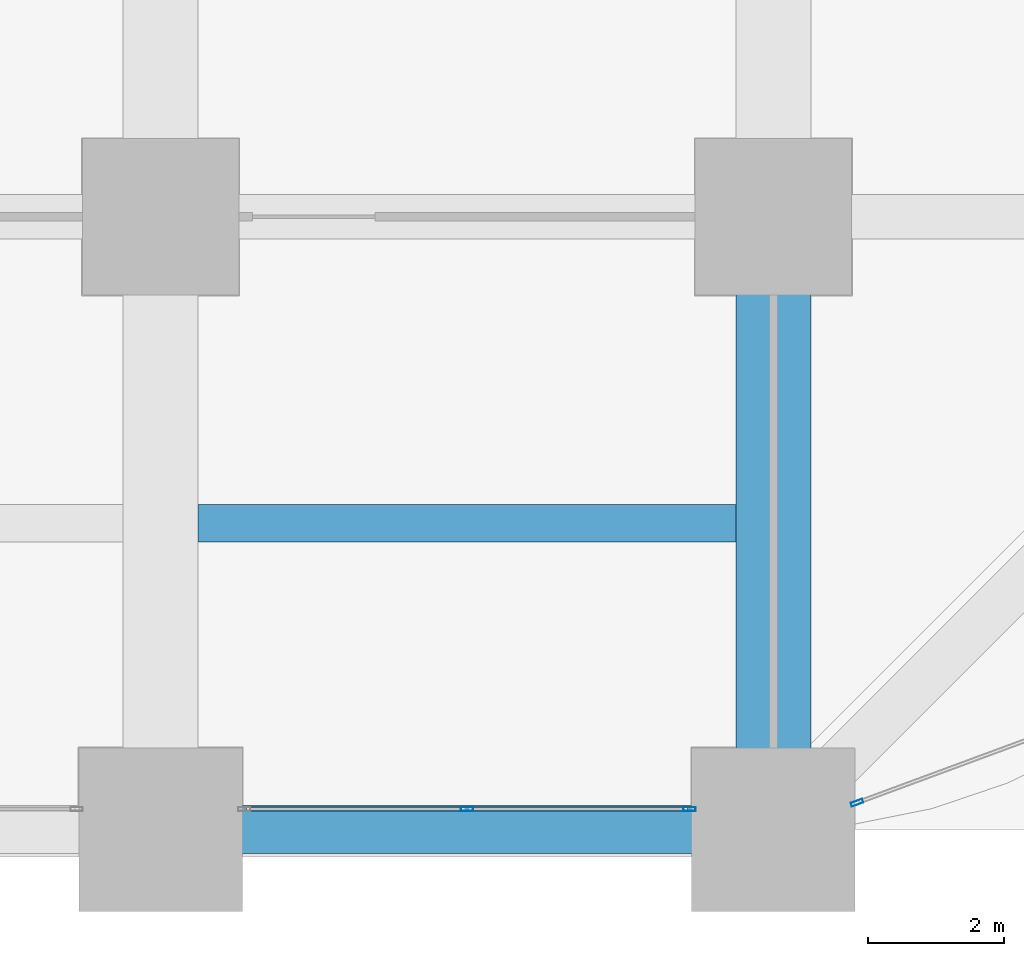
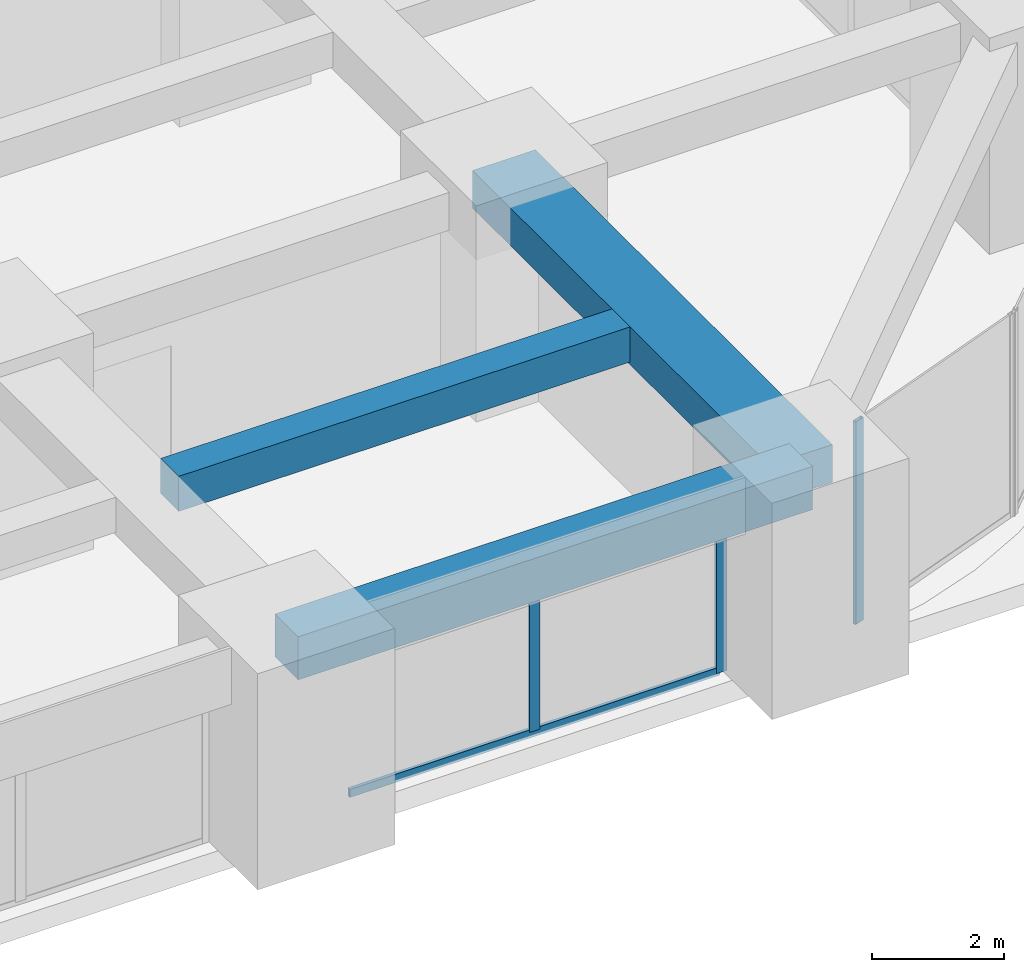
# One storey, part 13 of 38: 4 members, 3 beams, 2 elements without a shape of their own.
"""IFC4 building model written with IfcOpenShell, lengths in metres."""

import ifcopenshell
import ifcopenshell.guid

model = None  # the IFC model being written
_history = None  # IfcOwnerHistory: only IFC2X3 demands one
_inside = {}  # id of a spatial element -> (the spatial element, [elements in it])
_under = {}  # id of a project, library or spatial element -> (it, [spatial elements below it])
_declared = {}  # id of a project -> (the project, [libraries it declares])
_typed = {}  # id of a type object -> (the type object, [elements of that type])
_made_of = {}  # id of a material, layer set ... -> (it, [elements and type objects made of it])


def new_model(schema):
    """Start an empty IFC model of exactly this schema.

    Asked for "IFC4X3", IfcOpenShell would pick the latest addendum, in which some entities
    have other attributes; the version numbers below select the first issue.
    IFC2X3 requires an IfcOwnerHistory on every rooted entity: one is made here for all.
    """
    global model, _history
    if schema == "IFC4X3":
        model = ifcopenshell.file(schema_version=(4, 3, 0, 0))
    else:
        model = ifcopenshell.file(schema=schema)
    _inside.clear()
    _under.clear()
    _declared.clear()
    _typed.clear()
    _made_of.clear()
    _history = None
    if model.schema == "IFC2X3":
        org = make("IfcOrganization", Name="unknown")
        user = make(
            "IfcPersonAndOrganization",
            ThePerson=make("IfcPerson", FamilyName="unknown"),
            TheOrganization=org,
        )
        app = make(
            "IfcApplication",
            ApplicationDeveloper=org,
            Version="unknown",
            ApplicationFullName="unknown",
            ApplicationIdentifier="unknown",
        )
        _history = make(
            "IfcOwnerHistory",
            OwningUser=user,
            OwningApplication=app,
            ChangeAction="ADDED",
            CreationDate=0,
        )
    return model


def make(cls, **values):
    """One entity of the class cls with the attributes given. An attribute that is None is left unset."""
    return model.create_entity(
        cls, **{name: value for name, value in values.items() if value is not None}
    )


def rooted(cls, **values):
    """An entity with a GlobalId (a new one), such as an element, a storey or a relation."""
    return make(cls, GlobalId=ifcopenshell.guid.new(), OwnerHistory=_history, **values)


def si_unit(unit_type, name, prefix=None):
    """IfcSIUnit, for example si_unit("LENGTHUNIT", "METRE", prefix="MILLI")."""
    return make("IfcSIUnit", UnitType=unit_type, Prefix=prefix, Name=name)


def assignment(units):
    """IfcUnitAssignment: the units of a project."""
    return None if units is None else make("IfcUnitAssignment", Units=units)


def point(xyz):
    """IfcCartesianPoint."""
    return None if xyz is None else make("IfcCartesianPoint", Coordinates=xyz)


def direction(xyz):
    """IfcDirection."""
    return None if xyz is None else make("IfcDirection", DirectionRatios=xyz)


def frame(location, z_axis=None, x_axis=None):
    """IfcAxis2Placement3D, a coordinate frame: its origin and axes. An axis left out is left unset."""
    return make(
        "IfcAxis2Placement3D",
        Location=point(location),
        Axis=direction(z_axis),
        RefDirection=direction(x_axis),
    )


def frame_2d(location, x_axis=None):
    """IfcAxis2Placement2D, a coordinate frame in the plane: its origin and x axis."""
    return make(
        "IfcAxis2Placement2D", Location=point(location), RefDirection=direction(x_axis)
    )


def origin():
    """The frame at (0, 0, 0) with its axes left unset."""
    return frame((0.0, 0.0, 0.0))


def origin_2d():
    """The frame at (0, 0) in the plane with its x axis left unset."""
    return frame_2d((0.0, 0.0))


def place(relative_to, where):
    """IfcLocalPlacement: puts the frame where relative to a parent placement (None: the world)."""
    return make(
        "IfcLocalPlacement", PlacementRelTo=relative_to, RelativePlacement=where
    )


def context(
    kind, dimensions, precision=None, world=None, true_north=None, identifier=None
):
    """IfcGeometricRepresentationContext, for example the 3D "Model" context."""
    return make(
        "IfcGeometricRepresentationContext",
        ContextIdentifier=identifier,
        ContextType=kind,
        CoordinateSpaceDimension=dimensions,
        Precision=precision,
        WorldCoordinateSystem=world,
        TrueNorth=true_north,
    )


def subcontext(parent, identifier, kind, view, scale=None):
    """IfcGeometricRepresentationSubContext, for example "Body" below "Model"."""
    return make(
        "IfcGeometricRepresentationSubContext",
        ContextIdentifier=identifier,
        ContextType=kind,
        ParentContext=parent,
        TargetScale=scale,
        TargetView=view,
    )


def project(units=None, contexts=None):
    """IfcProject with its units and contexts."""
    return rooted(
        "IfcProject",
        Name="project",
        RepresentationContexts=contexts,
        UnitsInContext=assignment(units),
    )


def spatial(cls, under=None, at=None, **own):
    """A site, building, storey or space (cls), placed at a placement, below another one or the project."""
    s = rooted(cls, ObjectPlacement=at, **own)
    if under is not None:
        _under.setdefault(under.id(), (under, []))[1].append(s)
    return s


def profile(cls, at=None, kind="AREA", **sizes):
    """A parametric profile (cls). Its sizes go by their IFC names, for example OverallWidth=200.0."""
    return make(cls, ProfileType=kind, Position=at, **sizes)


def rectangle(**sizes):
    """IfcRectangleProfileDef."""
    return profile("IfcRectangleProfileDef", **sizes)


def hollow_rectangle(**sizes):
    """IfcRectangleHollowProfileDef."""
    return profile("IfcRectangleHollowProfileDef", **sizes)


def extrude(swept, where, along, depth):
    """IfcExtrudedAreaSolid: the profile swept, set in the frame where, extruded along a direction by depth."""
    return make(
        "IfcExtrudedAreaSolid",
        SweptArea=swept,
        Position=where,
        ExtrudedDirection=direction(along),
        Depth=depth,
    )


def shape(context_of_items, identifier, shape_type, items):
    """IfcShapeRepresentation: the items that make up one representation, for example the "Body"."""
    return make(
        "IfcShapeRepresentation",
        ContextOfItems=context_of_items,
        RepresentationIdentifier=identifier,
        RepresentationType=shape_type,
        Items=items,
    )


def material(Name=None, Category=None):
    """IfcMaterial."""
    return make("IfcMaterial", Name=Name, Category=Category)


def material_profile(
    of_material, cross_section, Name=None, Category=None, Priority=None
):
    """IfcMaterialProfile: a cross section and its material."""
    return make(
        "IfcMaterialProfile",
        Name=Name,
        Material=of_material,
        Profile=cross_section,
        Priority=Priority,
        Category=Category,
    )


def profile_set(profiles, Name=None, composite=None):
    """IfcMaterialProfileSet."""
    return make(
        "IfcMaterialProfileSet",
        Name=Name,
        MaterialProfiles=profiles,
        CompositeProfile=composite,
    )


def made_of(thing, what):
    """Note that an element or type object is made of a material, layer set ...; save() writes the relation."""
    if what is not None:
        _made_of.setdefault(what.id(), (what, []))[1].append(thing)
    return thing


def type_object(cls, material=None, **own):
    """A type object (cls), such as IfcWallType, which elements share."""
    return made_of(rooted(cls, **own), material)


def element(
    cls,
    number,
    at=None,
    inside=None,
    cuts=None,
    type_object=None,
    material=None,
    context=None,
    identifier="Body",
    shape_type=None,
    held_by="IfcProductDefinitionShape",
    body=None,
    shapes=None,
    **own,
):
    """One element of the class cls, such as IfcWall. Its Tag is "e" and its number.

    at: its placement. inside: the storey or other place that contains it. cuts: it is an
    opening in that element (IfcRelVoidsElement). A single representation is given by context,
    identifier, shape_type and body (its items); several are given by shapes. held_by: the class
    of the entity that holds the representations. save() writes the other relations.
    """
    e = rooted(cls, Tag="e%d" % number, ObjectPlacement=at, **own)
    if body is not None:
        shapes = [shape(context, identifier, shape_type, body)]
    if shapes is not None:
        e.Representation = make(held_by, Representations=shapes)
    if inside is not None:
        _inside.setdefault(inside.id(), (inside, []))[1].append(e)
    if cuts is not None:
        rooted(
            "IfcRelVoidsElement", RelatingBuildingElement=cuts, RelatedOpeningElement=e
        )
    if type_object is not None:
        _typed.setdefault(type_object.id(), (type_object, []))[1].append(e)
    return made_of(e, material)


def aggregate(whole, parts):
    """IfcRelAggregates: a whole, such as a stair, and the parts it consists of."""
    return rooted("IfcRelAggregates", RelatingObject=whole, RelatedObjects=parts)


def save(model, path):
    """Write the relations noted so far, then the file.

    IfcRelAggregates (storeys below a building ...), IfcRelContainedInSpatialStructure (elements
    in a storey), IfcRelDefinesByType, IfcRelAssociatesMaterial and IfcRelDeclares: one each for
    every whole, place, type object, material and project.
    """
    for whole, parts in _under.values():
        aggregate(whole, parts)
    for where, things in _inside.values():
        rooted(
            "IfcRelContainedInSpatialStructure",
            RelatedElements=things,
            RelatingStructure=where,
        )
    for kind, things in _typed.values():
        rooted("IfcRelDefinesByType", RelatedObjects=things, RelatingType=kind)
    for what, things in _made_of.values():
        rooted("IfcRelAssociatesMaterial", RelatedObjects=things, RelatingMaterial=what)
    for by, libraries in _declared.values():
        rooted("IfcRelDeclares", RelatingContext=by, RelatedDefinitions=libraries)
    model.write(path)


model = new_model("IFC4")

# Units and contexts
model_context = context("Model", 3, precision=1e-05, world=origin(), true_north=direction((0.0, 1.0)))
body_context = subcontext(model_context, "Body", "Model", "MODEL_VIEW")
ifc_project = project(units=[si_unit("LENGTHUNIT", "METRE"), si_unit("AREAUNIT", "SQUARE_METRE"), si_unit("VOLUMEUNIT", "CUBIC_METRE"), si_unit("PLANEANGLEUNIT", "RADIAN"), si_unit("MASSUNIT", "GRAM", prefix="KILO")], contexts=[model_context])

# Site, building, storey
site_placement = place(None, origin())
site = spatial("IfcSite", under=ifc_project, at=site_placement, CompositionType="ELEMENT")
building_placement = place(site_placement, origin())
building = spatial("IfcBuilding", under=site, at=building_placement, Name="Zorevar Civic Tower", CompositionType="ELEMENT")
storey_placement = place(building_placement, frame((0.0, 0.0, 15.800048828125)))
storey = spatial("IfcBuildingStorey", under=building, at=storey_placement, Name="L03", CompositionType="ELEMENT", Elevation=15.800048828125)

# Beams
ifc_material_1 = material(Name="Concrete C50/60", Category="concrete")
ifc_material_profile_1 = material_profile(ifc_material_1, rectangle(XDim=1.10009765625, YDim=0.699951171875, at=origin_2d()), Name="RC 1100x700")
ifc_profile_set_1 = profile_set([ifc_material_profile_1], Name="Concrete C50/60")
beam_type_1 = type_object("IfcBeamType", Name="Beam RC 1100x700", PredefinedType="BEAM", material=ifc_profile_set_1)
beam_1_placement = place(storey_placement, frame((54.0, 0.0, 3.39990234375), z_axis=(0.0, 1.0, 0.0), x_axis=(-1.0, 0.0, 0.0)))
element("IfcBeam", 1, at=beam_1_placement, inside=storey, type_object=beam_type_1, Name="Girder L04", PredefinedType="BEAM", context=body_context, shape_type="SweptSolid", body=[
    extrude(rectangle(XDim=1.10009765625, YDim=0.699951171875, at=origin_2d()), origin(), (0.0, 0.0, 1.0), 9.0),
])
ifc_material_2 = material(Name="Concrete C50/60", Category="concrete")
ifc_material_profile_2 = material_profile(ifc_material_2, rectangle(XDim=0.550048828125, YDim=0.64990234375, at=origin_2d()), Name="RC 550x650")
ifc_profile_set_2 = profile_set([ifc_material_profile_2], Name="Concrete C50/60")
beam_type_2 = type_object("IfcBeamType", Name="Beam RC 550x650", PredefinedType="BEAM", material=ifc_profile_set_2)
beam_2_placement = place(storey_placement, frame((45.550048828125, 4.5, 3.425048828125), z_axis=(1.0, 0.0, 0.0), x_axis=(0.0, 1.0, 0.0)))
element("IfcBeam", 2, at=beam_2_placement, inside=storey, type_object=beam_type_2, Name="Secondary beam L04", PredefinedType="BEAM", context=body_context, shape_type="SweptSolid", body=[
    extrude(rectangle(XDim=0.550048828125, YDim=0.64990234375, at=origin_2d()), origin(), (0.0, 0.0, 1.0), 7.89990234375),
])

# Curtain wall, members
ifc_material_3 = material(Name="Dark grey solar-control glass in black aluminium frame", Category="aluminium")
curtain_wall_type = type_object("IfcCurtainWallType", Name="Curtain wall CW2 low zone", PredefinedType="NOTDEFINED", material=ifc_material_3)
curtain_wall_1_placement = place(storey_placement, origin())
curtain_wall_1 = element("IfcCurtainWall", 3, at=curtain_wall_1_placement, inside=storey, type_object=curtain_wall_type, Name="CW2 L03", PredefinedType="NOTDEFINED")
ifc_material_4 = material(Name="Aluminium, black anodised", Category="aluminium")
ifc_material_profile_3 = material_profile(ifc_material_4, hollow_rectangle(XDim=0.06005859375, YDim=0.179931640625, WallThickness=0.00390625, at=origin_2d()), Name="AL 180x60x4")
ifc_profile_set_3 = profile_set([ifc_material_profile_3], Name="Aluminium, black anodised")
member_type_1 = type_object("IfcMemberType", Name="CW2 mullion AL 180x60x4", PredefinedType="MULLION", material=ifc_profile_set_3)
member_1_placement = place(storey_placement, frame((49.5, 0.300048828125, 0.06005859375), z_axis=(0.0, 0.0, 1.0), x_axis=(0.0, 1.0, 0.0)))
member_1 = element("IfcMember", 4, at=member_1_placement, type_object=member_type_1, Name="CW2 mullion 2", PredefinedType="MULLION", context=body_context, shape_type="SweptSolid", body=[
    extrude(hollow_rectangle(XDim=0.06005859375, YDim=0.179931640625, WallThickness=0.00390625, at=origin_2d()), origin(), (0.0, 0.0, 1.0), 2.889892578125),
])
member_2_placement = place(storey_placement, frame((52.77001953125, 0.300048828125, 0.0), z_axis=(0.0, 0.0, 1.0), x_axis=(0.0, 1.0, 0.0)))
member_2 = element("IfcMember", 5, at=member_2_placement, type_object=member_type_1, Name="CW2 mullion 3", PredefinedType="MULLION", context=body_context, shape_type="SweptSolid", body=[
    extrude(hollow_rectangle(XDim=0.06005859375, YDim=0.179931640625, WallThickness=0.00390625, at=origin_2d()), origin(), (0.0, 0.0, 1.0), 2.949951171875),
])

# Curtain wall, member
curtain_wall_2_placement = place(storey_placement, origin())
curtain_wall_2 = element("IfcCurtainWall", 6, at=curtain_wall_2_placement, inside=storey, type_object=curtain_wall_type, Name="CW2 L03", PredefinedType="NOTDEFINED")
member_3_placement = place(storey_placement, frame((55.22802734375, 0.3935546875, 0.0), z_axis=(0.0, 0.0, 1.0), x_axis=(-0.346704012033, 0.937974588163, 0.0)))
member_3 = element("IfcMember", 7, at=member_3_placement, type_object=member_type_1, Name="CW2 mullion 1", PredefinedType="MULLION", context=body_context, shape_type="SweptSolid", body=[
    extrude(hollow_rectangle(XDim=0.06005859375, YDim=0.179931640625, WallThickness=0.00390625, at=origin_2d()), origin(), (0.0, 0.0, 1.0), 3.75),
])
aggregate(curtain_wall_2, [member_3])

# Member
ifc_material_5 = material(Name="Aluminium, black anodised", Category="aluminium")
ifc_material_profile_4 = material_profile(ifc_material_5, hollow_rectangle(XDim=0.06005859375, YDim=0.14990234375, WallThickness=0.00390625, at=origin_2d()), Name="AL 150x60x4")
ifc_profile_set_4 = profile_set([ifc_material_profile_4], Name="Aluminium, black anodised")
member_type_2 = type_object("IfcMemberType", Name="CW2 transom AL 150x60x4", PredefinedType="USERDEFINED", material=ifc_profile_set_4)
member_4_placement = place(storey_placement, frame((46.260009765625, 0.300048828125, 0.030029296875), z_axis=(1.0, 0.0, 0.0), x_axis=(0.0, 1.0, 0.0)))
member_4 = element("IfcMember", 8, at=member_4_placement, type_object=member_type_2, Name="CW2 sill transom", ObjectType="TRANSOM", PredefinedType="USERDEFINED", context=body_context, shape_type="SweptSolid", body=[
    extrude(hollow_rectangle(XDim=0.06005859375, YDim=0.14990234375, WallThickness=0.00390625, at=origin_2d()), origin(), (0.0, 0.0, 1.0), 6.47998046875),
])

aggregate(curtain_wall_1, [member_1, member_2, member_4])

# Beam
ifc_material_6 = material(Name="Concrete C50/60", Category="concrete")
ifc_material_profile_5 = material_profile(ifc_material_6, rectangle(XDim=0.699951171875, YDim=0.800048828125, at=origin_2d()), Name="RC 700x800")
ifc_profile_set_5 = profile_set([ifc_material_profile_5], Name="Concrete C50/60")
beam_type_3 = type_object("IfcBeamType", Name="Edge beam RC 700x800", PredefinedType="SPANDREL", material=ifc_profile_set_5)
beam_3_placement = place(storey_placement, frame((45.0, 0.0, 3.349853515625), z_axis=(1.0, 0.0, 0.0), x_axis=(0.0, 1.0, 0.0)))
element("IfcBeam", 9, at=beam_3_placement, inside=storey, type_object=beam_type_3, Name="Edge beam L04", PredefinedType="SPANDREL", context=body_context, shape_type="SweptSolid", body=[
    extrude(rectangle(XDim=0.699951171875, YDim=0.800048828125, at=origin_2d()), origin(), (0.0, 0.0, 1.0), 9.0),
])

save(model, "model.ifc")
